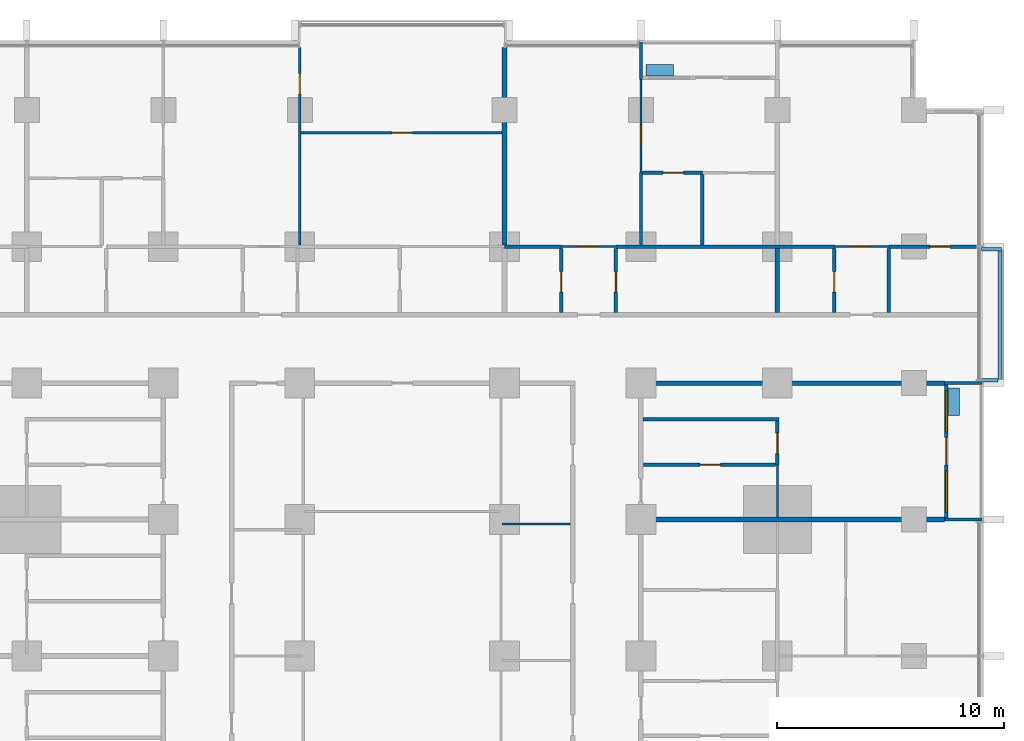
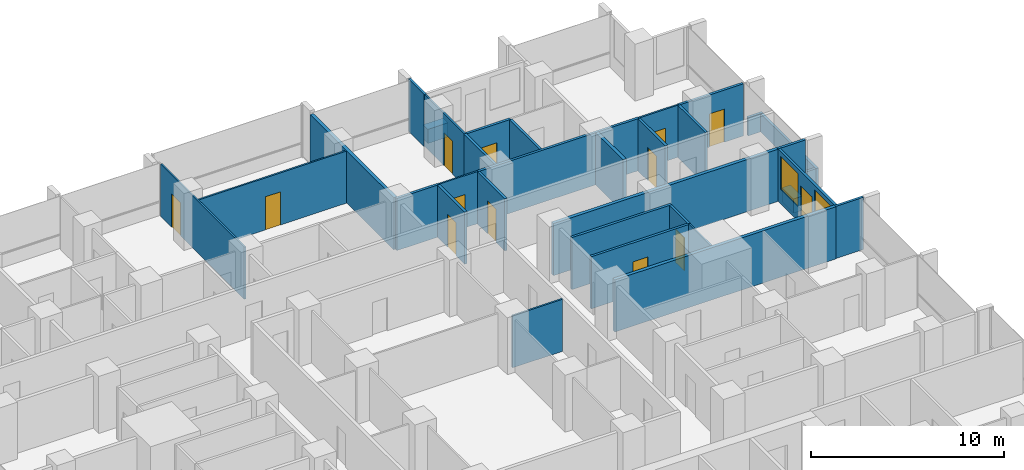
# One storey, part 12 of 18: 33 walls, 13 doors, 2 windows, 15 openings.
"""IFC4 building model written with IfcOpenShell, lengths in metres."""

from ifc_helpers import new_model, si_unit, direction, frame, frame_2d, origin, place, context, subcontext, project, spatial, rectangle, extrude, material, layer, layer_set, type_object, element, fill, save


model = new_model("IFC4")

# Units and contexts
model_context = context("Model", 3, precision=1e-05, world=origin(), true_north=direction((0.0, 1.0)))
body_context = subcontext(model_context, "Body", "Model", "MODEL_VIEW")
ifc_project = project(units=[si_unit("LENGTHUNIT", "METRE"), si_unit("AREAUNIT", "SQUARE_METRE"), si_unit("VOLUMEUNIT", "CUBIC_METRE"), si_unit("PLANEANGLEUNIT", "RADIAN"), si_unit("MASSUNIT", "GRAM", prefix="KILO")], contexts=[model_context])

# Site, building, storey
site_placement = place(None, origin())
site = spatial("IfcSite", under=ifc_project, at=site_placement, CompositionType="ELEMENT")
building_placement = place(site_placement, origin())
building = spatial("IfcBuilding", under=site, at=building_placement, Name="Finial Court Residences", CompositionType="ELEMENT")
storey_placement = place(building_placement, frame((0.0, 0.0, 68.5)))
storey = spatial("IfcBuildingStorey", under=building, at=storey_placement, Name="L16", CompositionType="ELEMENT", Elevation=68.5)

# Walls
ifc_material_1 = material(Name="Gypsum board")
ifc_layer_1 = layer(ifc_material_1, 0.02490234375)
ifc_material_2 = material(Name="Acoustic mineral wool in double frame")
ifc_layer_2 = layer(ifc_material_2, 0.14990234375)
ifc_layer_3 = layer(ifc_material_1, 0.02490234375)
ifc_layer_set_1 = layer_set([ifc_layer_1, ifc_layer_2, ifc_layer_3], Name="Acoustic party wall 200, 1 hour")
wall_type_1 = type_object("IfcWallType", Name="Acoustic party wall 200, 1 hour", PredefinedType="PARTITIONING", material=ifc_layer_set_1)
wall_1_placement = place(storey_placement, frame((10.60009765625, 7.5, 0.0), z_axis=(0.0, 0.0, 1.0), x_axis=(1.0, 0.0, 0.0)))
element("IfcWall", 1, at=wall_1_placement, inside=storey, type_object=wall_type_1, Name="Partition L16-026", PredefinedType="PARTITIONING", context=body_context, shape_type="SweptSolid", body=[
    extrude(rectangle(XDim=13.25, YDim=0.199951171875, at=frame_2d((6.625, 0.0))), origin(), (0.0, 0.0, 1.0), 3.300048828125),
])
wall_2_placement = place(storey_placement, frame((4.5, 19.574951171875, 0.0), z_axis=(0.0, 0.0, 1.0), x_axis=(0.0, 1.0, 0.0)))
element("IfcWall", 2, at=wall_2_placement, inside=storey, type_object=wall_type_1, Name="Partition L16-080", PredefinedType="PARTITIONING", context=body_context, shape_type="SweptSolid", body=[
    extrude(rectangle(XDim=8.675048828125, YDim=0.199951171875, at=frame_2d((4.33740234375, 0.0))), origin(), (0.0, 0.0, 1.0), 3.300048828125),
])
wall_3_placement = place(storey_placement, frame((16.5, 16.60009765625, 0.0), z_axis=(0.0, 0.0, 1.0), x_axis=(0.0, 1.0, 0.0)))
element("IfcWall", 3, at=wall_3_placement, inside=storey, type_object=wall_type_1, Name="Partition L16-092", PredefinedType="PARTITIONING", context=body_context, shape_type="SweptSolid", body=[
    extrude(rectangle(XDim=2.824951171875, YDim=0.199951171875, at=frame_2d((1.41259765625, 0.0))), origin(), (0.0, 0.0, 1.0), 3.300048828125),
])
ifc_layer_4 = layer(ifc_material_1, 0.02490234375)
ifc_layer_5 = layer(ifc_material_2, 0.14990234375)
ifc_layer_6 = layer(ifc_material_1, 0.02490234375)
ifc_layer_set_2 = layer_set([ifc_layer_4, ifc_layer_5, ifc_layer_6], Name="Corridor wall 200, 1 hour")
wall_type_2 = type_object("IfcWallType", Name="Corridor wall 200, 1 hour", PredefinedType="PARTITIONING", material=ifc_layer_set_2)
wall_4_placement = place(storey_placement, frame((10.39990234375, 13.5, 0.0), z_axis=(0.0, 0.0, 1.0), x_axis=(1.0, 0.0, 0.0)))
element("IfcWall", 4, at=wall_4_placement, inside=storey, type_object=wall_type_2, Name="Partition L16-034", PredefinedType="PARTITIONING", context=body_context, shape_type="SweptSolid", body=[
    extrude(rectangle(XDim=13.4501953125, YDim=0.199951171875, at=frame_2d((6.72509765625, 0.0))), origin(), (0.0, 0.0, 1.0), 3.300048828125),
])
ifc_layer_7 = layer(ifc_material_1, 0.012451171875)
ifc_material_3 = material(Name="Mineral wool in light-gauge frame")
ifc_layer_8 = layer(ifc_material_3, 0.074951171875)
ifc_layer_9 = layer(ifc_material_1, 0.012451171875)
ifc_layer_set_3 = layer_set([ifc_layer_7, ifc_layer_8, ifc_layer_9], Name="Gypsum board partition 100")
wall_type_3 = type_object("IfcWallType", Name="Gypsum board partition 100", PredefinedType="PARTITIONING", material=ifc_layer_set_3)
wall_5_placement = place(storey_placement, frame((4.39990234375, 7.300048828125, 0.0), z_axis=(0.0, 0.0, 1.0), x_axis=(1.0, 0.0, 0.0)))
element("IfcWall", 5, at=wall_5_placement, inside=storey, type_object=wall_type_3, Name="Partition L16-024", PredefinedType="PARTITIONING", context=body_context, shape_type="SweptSolid", body=[
    extrude(rectangle(XDim=3.0, YDim=0.10009765625, at=frame_2d((1.5, 0.0))), origin(), (0.0, 0.0, 1.0), 3.300048828125),
])

# Wall, opening, door
wall_6_placement = place(storey_placement, frame((7.0, 19.5, 0.0), z_axis=(0.0, 0.0, 1.0), x_axis=(1.0, 0.0, 0.0)))
wall_6 = element("IfcWall", 6, at=wall_6_placement, inside=storey, type_object=wall_type_3, Name="Partition L16-040", PredefinedType="PARTITIONING", context=body_context, shape_type="SweptSolid", body=[
    extrude(rectangle(XDim=2.39990234375, YDim=0.10009765625, at=frame_2d((1.199951171875, 0.0))), origin(), (0.0, 0.0, 1.0), 3.300048828125),
])
opening_1_placement = place(wall_6_placement, frame((0.699951171875, 0.0, 0.0)))
opening_1 = element("IfcOpeningElement", 7, at=opening_1_placement, cuts=wall_6, Name="Opening L16-D023", PredefinedType="OPENING", context=body_context, shape_type="SweptSolid", body=[
    extrude(rectangle(XDim=0.89990234375, YDim=2.10009765625, at=frame_2d((0.449951171875, 1.050048828125))), frame((0.0, 0.06005859375, 0.0), z_axis=(0.0, -1.0, 0.0), x_axis=(1.0, 0.0, 0.0)), (0.0, 0.0, 1.0), 0.1201171875),
])
ifc_material_4 = material(Name="Timber door leaf in timber frame", Category="wood")
door_type_1 = type_object("IfcDoorType", Name="Door set 900 x 2100", OperationType="SINGLE_SWING_LEFT", PredefinedType="DOOR", material=ifc_material_4)
door_1_placement = place(opening_1_placement, origin())
door_1 = element("IfcDoor", 8, at=door_1_placement, inside=storey, type_object=door_type_1, Name="Door L16-D023", OperationType="SINGLE_SWING_RIGHT", OverallHeight=2.10009765625, OverallWidth=0.89990234375, PredefinedType="DOOR", context=body_context, shape_type="SweptSolid", body=[
    extrude(rectangle(XDim=0.89990234375, YDim=2.10009765625, at=frame_2d((0.449951171875, 1.050048828125))), frame((0.0, 0.02490234375, 0.0), z_axis=(0.0, -1.0, 0.0), x_axis=(1.0, 0.0, 0.0)), (0.0, 0.0, 1.0), 0.050048828125),
])
fill(opening_1, door_1)

wall_7_placement = place(storey_placement, frame((19.0, 19.5, 0.0), z_axis=(0.0, 0.0, 1.0), x_axis=(1.0, 0.0, 0.0)))
wall_7 = element("IfcWall", 9, at=wall_7_placement, inside=storey, type_object=wall_type_3, Name="Partition L16-041", PredefinedType="PARTITIONING", context=body_context, shape_type="SweptSolid", body=[
    extrude(rectangle(XDim=2.39990234375, YDim=0.10009765625, at=frame_2d((1.199951171875, 0.0))), origin(), (0.0, 0.0, 1.0), 3.300048828125),
])
opening_2_placement = place(wall_7_placement, frame((0.699951171875, 0.0, 0.0)))
opening_2 = element("IfcOpeningElement", 10, at=opening_2_placement, cuts=wall_7, Name="Opening L16-D024", PredefinedType="OPENING", context=body_context, shape_type="SweptSolid", body=[
    extrude(rectangle(XDim=0.89990234375, YDim=2.10009765625, at=frame_2d((0.449951171875, 1.050048828125))), frame((0.0, 0.06005859375, 0.0), z_axis=(0.0, -1.0, 0.0), x_axis=(1.0, 0.0, 0.0)), (0.0, 0.0, 1.0), 0.1201171875),
])
door_2_placement = place(opening_2_placement, origin())
door_2 = element("IfcDoor", 11, at=door_2_placement, inside=storey, type_object=door_type_1, Name="Door L16-D024", OperationType="SINGLE_SWING_LEFT", OverallHeight=2.10009765625, OverallWidth=0.89990234375, PredefinedType="DOOR", context=body_context, shape_type="SweptSolid", body=[
    extrude(rectangle(XDim=0.89990234375, YDim=2.10009765625, at=frame_2d((0.449951171875, 1.050048828125))), frame((0.0, 0.02490234375, 0.0), z_axis=(0.0, -1.0, 0.0), x_axis=(1.0, 0.0, 0.0)), (0.0, 0.0, 1.0), 0.050048828125),
])
fill(opening_2, door_2)

wall_8_placement = place(storey_placement, frame((-4.449951171875, 24.5, 0.0), z_axis=(0.0, 0.0, 1.0), x_axis=(1.0, 0.0, 0.0)))
wall_8 = element("IfcWall", 12, at=wall_8_placement, inside=storey, type_object=wall_type_3, Name="Partition L16-053", PredefinedType="PARTITIONING", context=body_context, shape_type="SweptSolid", body=[
    extrude(rectangle(XDim=8.849853515625, YDim=0.10009765625, at=frame_2d((4.4248046875, 0.0))), origin(), (0.0, 0.0, 1.0), 3.300048828125),
])
opening_3_placement = place(wall_8_placement, frame((4.0, 0.0, 0.0)))
opening_3 = element("IfcOpeningElement", 13, at=opening_3_placement, cuts=wall_8, Name="Opening L16-D031", PredefinedType="OPENING", context=body_context, shape_type="SweptSolid", body=[
    extrude(rectangle(XDim=0.89990234375, YDim=2.10009765625, at=frame_2d((0.449951171875, 1.050048828125))), frame((0.0, 0.06005859375, 0.0), z_axis=(0.0, -1.0, 0.0), x_axis=(1.0, 0.0, 0.0)), (0.0, 0.0, 1.0), 0.1201171875),
])
door_3_placement = place(opening_3_placement, origin())
door_3 = element("IfcDoor", 14, at=door_3_placement, inside=storey, type_object=door_type_1, Name="Door L16-D031", OperationType="SINGLE_SWING_RIGHT", OverallHeight=2.10009765625, OverallWidth=0.89990234375, PredefinedType="DOOR", context=body_context, shape_type="SweptSolid", body=[
    extrude(rectangle(XDim=0.89990234375, YDim=2.10009765625, at=frame_2d((0.449951171875, 1.050048828125))), frame((0.0, 0.02490234375, 0.0), z_axis=(0.0, -1.0, 0.0), x_axis=(1.0, 0.0, 0.0)), (0.0, 0.0, 1.0), 0.050048828125),
])
fill(opening_3, door_3)

wall_9_placement = place(storey_placement, frame((-4.5, 19.574951171875, 0.0), z_axis=(0.0, 0.0, 1.0), x_axis=(0.0, 1.0, 0.0)))
wall_9 = element("IfcWall", 15, at=wall_9_placement, inside=storey, type_object=wall_type_3, Name="Partition L16-075", PredefinedType="PARTITIONING", context=body_context, shape_type="SweptSolid", body=[
    extrude(rectangle(XDim=8.675048828125, YDim=0.10009765625, at=frame_2d((4.33740234375, 0.0))), origin(), (0.0, 0.0, 1.0), 3.300048828125),
])
opening_4_placement = place(wall_9_placement, frame((6.625, 0.0, 0.0)))
opening_4 = element("IfcOpeningElement", 16, at=opening_4_placement, cuts=wall_9, Name="Opening L16-D048", PredefinedType="OPENING", context=body_context, shape_type="SweptSolid", body=[
    extrude(rectangle(XDim=0.89990234375, YDim=2.10009765625, at=frame_2d((0.449951171875, 1.050048828125))), frame((0.0, 0.06005859375, 0.0), z_axis=(0.0, -1.0, 0.0), x_axis=(1.0, 0.0, 0.0)), (0.0, 0.0, 1.0), 0.1201171875),
])
door_4_placement = place(opening_4_placement, origin())
door_4 = element("IfcDoor", 17, at=door_4_placement, inside=storey, type_object=door_type_1, Name="Door L16-D048", OperationType="SINGLE_SWING_RIGHT", OverallHeight=2.10009765625, OverallWidth=0.89990234375, PredefinedType="DOOR", context=body_context, shape_type="SweptSolid", body=[
    extrude(rectangle(XDim=0.89990234375, YDim=2.10009765625, at=frame_2d((0.449951171875, 1.050048828125))), frame((0.0, 0.02490234375, 0.0), z_axis=(0.0, -1.0, 0.0), x_axis=(1.0, 0.0, 0.0)), (0.0, 0.0, 1.0), 0.050048828125),
])
fill(opening_4, door_4)

wall_10_placement = place(storey_placement, frame((10.5, 22.75, 0.0), z_axis=(0.0, 0.0, 1.0), x_axis=(0.0, 1.0, 0.0)))
wall_10 = element("IfcWall", 18, at=wall_10_placement, inside=storey, type_object=wall_type_3, Name="Partition L16-085", PredefinedType="PARTITIONING", context=body_context, shape_type="SweptSolid", body=[
    extrude(rectangle(XDim=4.10009765625, YDim=0.10009765625, at=frame_2d((2.050048828125, 0.0))), origin(), (0.0, 0.0, 1.0), 3.300048828125),
])
opening_5_placement = place(wall_10_placement, frame((1.199951171875, 0.0, 0.0)))
opening_5 = element("IfcOpeningElement", 19, at=opening_5_placement, cuts=wall_10, Name="Opening L16-D057", PredefinedType="OPENING", context=body_context, shape_type="SweptSolid", body=[
    extrude(rectangle(XDim=0.89990234375, YDim=2.10009765625, at=frame_2d((0.449951171875, 1.050048828125))), frame((0.0, 0.06005859375, 0.0), z_axis=(0.0, -1.0, 0.0), x_axis=(1.0, 0.0, 0.0)), (0.0, 0.0, 1.0), 0.1201171875),
])
door_5_placement = place(opening_5_placement, origin())
door_5 = element("IfcDoor", 20, at=door_5_placement, inside=storey, type_object=door_type_1, Name="Door L16-D057", OperationType="SINGLE_SWING_LEFT", OverallHeight=2.10009765625, OverallWidth=0.89990234375, PredefinedType="DOOR", context=body_context, shape_type="SweptSolid", body=[
    extrude(rectangle(XDim=0.89990234375, YDim=2.10009765625, at=frame_2d((0.449951171875, 1.050048828125))), frame((0.0, 0.02490234375, 0.0), z_axis=(0.0, -1.0, 0.0), x_axis=(1.0, 0.0, 0.0)), (0.0, 0.0, 1.0), 0.050048828125),
])
fill(opening_5, door_5)

# Wall
wall_11_placement = place(storey_placement, frame((16.5, 7.60009765625, 0.0), z_axis=(0.0, 0.0, 1.0), x_axis=(0.0, 1.0, 0.0)))
element("IfcWall", 21, at=wall_11_placement, inside=storey, type_object=wall_type_3, Name="Partition L16-091", PredefinedType="PARTITIONING", context=body_context, shape_type="SweptSolid", body=[
    extrude(rectangle(XDim=2.2998046875, YDim=0.10009765625, at=frame_2d((1.14990234375, 0.0))), origin(), (0.0, 0.0, 1.0), 3.300048828125),
])

# Wall, opening, door
ifc_material_5 = material(Name="Moisture-resistant gypsum board")
ifc_layer_10 = layer(ifc_material_5, 0.012451171875)
ifc_layer_11 = layer(ifc_material_3, 0.125)
ifc_layer_12 = layer(ifc_material_5, 0.012451171875)
ifc_layer_set_4 = layer_set([ifc_layer_10, ifc_layer_11, ifc_layer_12], Name="Gypsum board wet-area partition 150")
wall_type_4 = type_object("IfcWallType", Name="Gypsum board wet-area partition 150", PredefinedType="PARTITIONING", material=ifc_layer_set_4)
wall_12_placement = place(storey_placement, frame((10.60009765625, 9.89990234375, 0.0), z_axis=(0.0, 0.0, 1.0), x_axis=(1.0, 0.0, 0.0)))
wall_12 = element("IfcWall", 22, at=wall_12_placement, inside=storey, type_object=wall_type_4, Name="Partition L16-029", PredefinedType="PARTITIONING", context=body_context, shape_type="SweptSolid", body=[
    extrude(rectangle(XDim=5.824951171875, YDim=0.14990234375, at=frame_2d((2.91259765625, 0.0))), origin(), (0.0, 0.0, 1.0), 3.300048828125),
])
opening_6_placement = place(wall_12_placement, frame((2.5, 0.0, 0.0)))
opening_6 = element("IfcOpeningElement", 23, at=opening_6_placement, cuts=wall_12, Name="Opening L16-D014", PredefinedType="OPENING", context=body_context, shape_type="SweptSolid", body=[
    extrude(rectangle(XDim=0.89990234375, YDim=2.10009765625, at=frame_2d((0.449951171875, 1.050048828125))), frame((0.0, 0.0849609375, 0.0), z_axis=(0.0, -1.0, 0.0), x_axis=(1.0, 0.0, 0.0)), (0.0, 0.0, 1.0), 0.169921875),
])
door_6_placement = place(opening_6_placement, origin())
door_6 = element("IfcDoor", 24, at=door_6_placement, inside=storey, type_object=door_type_1, Name="Door L16-D014", OperationType="SINGLE_SWING_RIGHT", OverallHeight=2.10009765625, OverallWidth=0.89990234375, PredefinedType="DOOR", context=body_context, shape_type="SweptSolid", body=[
    extrude(rectangle(XDim=0.89990234375, YDim=2.10009765625, at=frame_2d((0.449951171875, 1.050048828125))), frame((0.0, 0.02490234375, 0.0), z_axis=(0.0, -1.0, 0.0), x_axis=(1.0, 0.0, 0.0)), (0.0, 0.0, 1.0), 0.050048828125),
])
fill(opening_6, door_6)

# Walls
wall_13_placement = place(storey_placement, frame((10.60009765625, 11.89990234375, 0.0), z_axis=(0.0, 0.0, 1.0), x_axis=(1.0, 0.0, 0.0)))
element("IfcWall", 25, at=wall_13_placement, inside=storey, type_object=wall_type_4, Name="Partition L16-031", PredefinedType="PARTITIONING", context=body_context, shape_type="SweptSolid", body=[
    extrude(rectangle(XDim=5.974853515625, YDim=0.14990234375, at=frame_2d((2.9873046875, 0.0))), origin(), (0.0, 0.0, 1.0), 3.300048828125),
])
wall_14_placement = place(storey_placement, frame((4.5, 19.5, 0.0), z_axis=(0.0, 0.0, 1.0), x_axis=(1.0, 0.0, 0.0)))
element("IfcWall", 26, at=wall_14_placement, inside=storey, type_object=wall_type_4, Name="Partition L16-046", PredefinedType="PARTITIONING", context=body_context, shape_type="SweptSolid", body=[
    extrude(rectangle(XDim=2.5, YDim=0.14990234375, at=frame_2d((1.25, 0.0))), origin(), (0.0, 0.0, 1.0), 3.300048828125),
])
wall_15_placement = place(storey_placement, frame((9.39990234375, 19.5, 0.0), z_axis=(0.0, 0.0, 1.0), x_axis=(1.0, 0.0, 0.0)))
element("IfcWall", 27, at=wall_15_placement, inside=storey, type_object=wall_type_4, Name="Partition L16-047", PredefinedType="PARTITIONING", context=body_context, shape_type="SweptSolid", body=[
    extrude(rectangle(XDim=9.60009765625, YDim=0.14990234375, at=frame_2d((4.800048828125, 0.0))), origin(), (0.0, 0.0, 1.0), 3.300048828125),
])

# Wall, opening, door
wall_16_placement = place(storey_placement, frame((21.39990234375, 19.5, 0.0), z_axis=(0.0, 0.0, 1.0), x_axis=(1.0, 0.0, 0.0)))
wall_16 = element("IfcWall", 28, at=wall_16_placement, inside=storey, type_object=wall_type_4, Name="Partition L16-048", PredefinedType="PARTITIONING", context=body_context, shape_type="SweptSolid", body=[
    extrude(rectangle(XDim=3.85009765625, YDim=0.14990234375, at=frame_2d((1.925048828125, 0.0))), origin(), (0.0, 0.0, 1.0), 3.300048828125),
])
opening_7_placement = place(wall_16_placement, frame((1.800048828125, 0.0, 0.0)))
opening_7 = element("IfcOpeningElement", 29, at=opening_7_placement, cuts=wall_16, Name="Opening L16-D026", PredefinedType="OPENING", context=body_context, shape_type="SweptSolid", body=[
    extrude(rectangle(XDim=0.89990234375, YDim=2.10009765625, at=frame_2d((0.449951171875, 1.050048828125))), frame((0.0, 0.0849609375, 0.0), z_axis=(0.0, -1.0, 0.0), x_axis=(1.0, 0.0, 0.0)), (0.0, 0.0, 1.0), 0.169921875),
])
door_7_placement = place(opening_7_placement, origin())
door_7 = element("IfcDoor", 30, at=door_7_placement, inside=storey, type_object=door_type_1, Name="Door L16-D026", OperationType="SINGLE_SWING_RIGHT", OverallHeight=2.10009765625, OverallWidth=0.89990234375, PredefinedType="DOOR", context=body_context, shape_type="SweptSolid", body=[
    extrude(rectangle(XDim=0.89990234375, YDim=2.10009765625, at=frame_2d((0.449951171875, 1.050048828125))), frame((0.0, 0.02490234375, 0.0), z_axis=(0.0, -1.0, 0.0), x_axis=(1.0, 0.0, 0.0)), (0.0, 0.0, 1.0), 0.050048828125),
])
fill(opening_7, door_7)

wall_17_placement = place(storey_placement, frame((10.574951171875, 22.75, 0.0), z_axis=(0.0, 0.0, 1.0), x_axis=(1.0, 0.0, 0.0)))
wall_17 = element("IfcWall", 31, at=wall_17_placement, inside=storey, type_object=wall_type_4, Name="Partition L16-052", PredefinedType="PARTITIONING", context=body_context, shape_type="SweptSolid", body=[
    extrude(rectangle(XDim=2.625, YDim=0.14990234375, at=frame_2d((1.3125, 0.0))), origin(), (0.0, 0.0, 1.0), 3.300048828125),
])
opening_8_placement = place(wall_17_placement, frame((0.89990234375, 0.0, 0.0)))
opening_8 = element("IfcOpeningElement", 32, at=opening_8_placement, cuts=wall_17, Name="Opening L16-D030", PredefinedType="OPENING", context=body_context, shape_type="SweptSolid", body=[
    extrude(rectangle(XDim=0.89990234375, YDim=2.10009765625, at=frame_2d((0.449951171875, 1.050048828125))), frame((0.0, 0.0849609375, 0.0), z_axis=(0.0, -1.0, 0.0), x_axis=(1.0, 0.0, 0.0)), (0.0, 0.0, 1.0), 0.169921875),
])
door_8_placement = place(opening_8_placement, origin())
door_8 = element("IfcDoor", 33, at=door_8_placement, inside=storey, type_object=door_type_1, Name="Door L16-D030", OperationType="SINGLE_SWING_RIGHT", OverallHeight=2.10009765625, OverallWidth=0.89990234375, PredefinedType="DOOR", context=body_context, shape_type="SweptSolid", body=[
    extrude(rectangle(XDim=0.89990234375, YDim=2.10009765625, at=frame_2d((0.449951171875, 1.050048828125))), frame((0.0, 0.02490234375, 0.0), z_axis=(0.0, -1.0, 0.0), x_axis=(1.0, 0.0, 0.0)), (0.0, 0.0, 1.0), 0.050048828125),
])
fill(opening_8, door_8)

wall_18_placement = place(storey_placement, frame((7.0, 16.60009765625, 0.0), z_axis=(0.0, 0.0, 1.0), x_axis=(0.0, 1.0, 0.0)))
wall_18 = element("IfcWall", 34, at=wall_18_placement, inside=storey, type_object=wall_type_4, Name="Partition L16-081", PredefinedType="PARTITIONING", context=body_context, shape_type="SweptSolid", body=[
    extrude(rectangle(XDim=2.824951171875, YDim=0.14990234375, at=frame_2d((1.41259765625, 0.0))), origin(), (0.0, 0.0, 1.0), 3.300048828125),
])
opening_9_placement = place(wall_18_placement, frame((0.89990234375, 0.0, 0.0)))
opening_9 = element("IfcOpeningElement", 35, at=opening_9_placement, cuts=wall_18, Name="Opening L16-D050", PredefinedType="OPENING", context=body_context, shape_type="SweptSolid", body=[
    extrude(rectangle(XDim=0.89990234375, YDim=2.10009765625, at=frame_2d((0.449951171875, 1.050048828125))), frame((0.0, 0.0849609375, 0.0), z_axis=(0.0, -1.0, 0.0), x_axis=(1.0, 0.0, 0.0)), (0.0, 0.0, 1.0), 0.169921875),
])
door_9_placement = place(opening_9_placement, origin())
door_9 = element("IfcDoor", 36, at=door_9_placement, inside=storey, type_object=door_type_1, Name="Door L16-D050", OperationType="SINGLE_SWING_LEFT", OverallHeight=2.10009765625, OverallWidth=0.89990234375, PredefinedType="DOOR", context=body_context, shape_type="SweptSolid", body=[
    extrude(rectangle(XDim=0.89990234375, YDim=2.10009765625, at=frame_2d((0.449951171875, 1.050048828125))), frame((0.0, 0.02490234375, 0.0), z_axis=(0.0, -1.0, 0.0), x_axis=(1.0, 0.0, 0.0)), (0.0, 0.0, 1.0), 0.050048828125),
])
fill(opening_9, door_9)

wall_19_placement = place(storey_placement, frame((9.39990234375, 16.60009765625, 0.0), z_axis=(0.0, 0.0, 1.0), x_axis=(0.0, 1.0, 0.0)))
wall_19 = element("IfcWall", 37, at=wall_19_placement, inside=storey, type_object=wall_type_4, Name="Partition L16-083", PredefinedType="PARTITIONING", context=body_context, shape_type="SweptSolid", body=[
    extrude(rectangle(XDim=2.824951171875, YDim=0.14990234375, at=frame_2d((1.41259765625, 0.0))), origin(), (0.0, 0.0, 1.0), 3.300048828125),
])
opening_10_placement = place(wall_19_placement, frame((0.89990234375, 0.0, 0.0)))
opening_10 = element("IfcOpeningElement", 38, at=opening_10_placement, cuts=wall_19, Name="Opening L16-D054", PredefinedType="OPENING", context=body_context, shape_type="SweptSolid", body=[
    extrude(rectangle(XDim=0.89990234375, YDim=2.10009765625, at=frame_2d((0.449951171875, 1.050048828125))), frame((0.0, 0.0849609375, 0.0), z_axis=(0.0, -1.0, 0.0), x_axis=(1.0, 0.0, 0.0)), (0.0, 0.0, 1.0), 0.169921875),
])
door_10_placement = place(opening_10_placement, origin())
door_10 = element("IfcDoor", 39, at=door_10_placement, inside=storey, type_object=door_type_1, Name="Door L16-D054", OperationType="SINGLE_SWING_RIGHT", OverallHeight=2.10009765625, OverallWidth=0.89990234375, PredefinedType="DOOR", context=body_context, shape_type="SweptSolid", body=[
    extrude(rectangle(XDim=0.89990234375, YDim=2.10009765625, at=frame_2d((0.449951171875, 1.050048828125))), frame((0.0, 0.02490234375, 0.0), z_axis=(0.0, -1.0, 0.0), x_axis=(1.0, 0.0, 0.0)), (0.0, 0.0, 1.0), 0.050048828125),
])
fill(opening_10, door_10)

# Walls
wall_20_placement = place(storey_placement, frame((10.5, 19.574951171875, 0.0), z_axis=(0.0, 0.0, 1.0), x_axis=(0.0, 1.0, 0.0)))
element("IfcWall", 40, at=wall_20_placement, inside=storey, type_object=wall_type_4, Name="Partition L16-086", PredefinedType="PARTITIONING", context=body_context, shape_type="SweptSolid", body=[
    extrude(rectangle(XDim=3.175048828125, YDim=0.14990234375, at=frame_2d((1.58740234375, 0.0))), origin(), (0.0, 0.0, 1.0), 3.300048828125),
])
wall_21_placement = place(storey_placement, frame((13.199951171875, 19.574951171875, 0.0), z_axis=(0.0, 0.0, 1.0), x_axis=(0.0, 1.0, 0.0)))
element("IfcWall", 41, at=wall_21_placement, inside=storey, type_object=wall_type_4, Name="Partition L16-087", PredefinedType="PARTITIONING", context=body_context, shape_type="SweptSolid", body=[
    extrude(rectangle(XDim=3.10009765625, YDim=0.14990234375, at=frame_2d((1.550048828125, 0.0))), origin(), (0.0, 0.0, 1.0), 3.300048828125),
])

# Wall, opening, door
wall_22_placement = place(storey_placement, frame((16.5, 9.89990234375, 0.0), z_axis=(0.0, 0.0, 1.0), x_axis=(0.0, 1.0, 0.0)))
wall_22 = element("IfcWall", 42, at=wall_22_placement, inside=storey, type_object=wall_type_4, Name="Partition L16-098", PredefinedType="PARTITIONING", context=body_context, shape_type="SweptSolid", body=[
    extrude(rectangle(XDim=1.925048828125, YDim=0.14990234375, at=frame_2d((0.96240234375, 0.0))), origin(), (0.0, 0.0, 1.0), 3.300048828125),
])
opening_11_placement = place(wall_22_placement, frame((0.5, 0.0, 0.0)))
opening_11 = element("IfcOpeningElement", 43, at=opening_11_placement, cuts=wall_22, Name="Opening L16-D060", PredefinedType="OPENING", context=body_context, shape_type="SweptSolid", body=[
    extrude(rectangle(XDim=0.89990234375, YDim=2.10009765625, at=frame_2d((0.449951171875, 1.050048828125))), frame((0.0, 0.0849609375, 0.0), z_axis=(0.0, -1.0, 0.0), x_axis=(1.0, 0.0, 0.0)), (0.0, 0.0, 1.0), 0.169921875),
])
door_11_placement = place(opening_11_placement, origin())
door_11 = element("IfcDoor", 44, at=door_11_placement, inside=storey, type_object=door_type_1, Name="Door L16-D060", OperationType="SINGLE_SWING_LEFT", OverallHeight=2.10009765625, OverallWidth=0.89990234375, PredefinedType="DOOR", context=body_context, shape_type="SweptSolid", body=[
    extrude(rectangle(XDim=0.89990234375, YDim=2.10009765625, at=frame_2d((0.449951171875, 1.050048828125))), frame((0.0, 0.02490234375, 0.0), z_axis=(0.0, -1.0, 0.0), x_axis=(1.0, 0.0, 0.0)), (0.0, 0.0, 1.0), 0.050048828125),
])
fill(opening_11, door_11)

wall_23_placement = place(storey_placement, frame((19.0, 16.60009765625, 0.0), z_axis=(0.0, 0.0, 1.0), x_axis=(0.0, 1.0, 0.0)))
wall_23 = element("IfcWall", 45, at=wall_23_placement, inside=storey, type_object=wall_type_4, Name="Partition L16-099", PredefinedType="PARTITIONING", context=body_context, shape_type="SweptSolid", body=[
    extrude(rectangle(XDim=2.824951171875, YDim=0.14990234375, at=frame_2d((1.41259765625, 0.0))), origin(), (0.0, 0.0, 1.0), 3.300048828125),
])
opening_12_placement = place(wall_23_placement, frame((0.89990234375, 0.0, 0.0)))
opening_12 = element("IfcOpeningElement", 46, at=opening_12_placement, cuts=wall_23, Name="Opening L16-D061", PredefinedType="OPENING", context=body_context, shape_type="SweptSolid", body=[
    extrude(rectangle(XDim=0.89990234375, YDim=2.10009765625, at=frame_2d((0.449951171875, 1.050048828125))), frame((0.0, 0.0849609375, 0.0), z_axis=(0.0, -1.0, 0.0), x_axis=(1.0, 0.0, 0.0)), (0.0, 0.0, 1.0), 0.169921875),
])
door_12_placement = place(opening_12_placement, origin())
door_12 = element("IfcDoor", 47, at=door_12_placement, inside=storey, type_object=door_type_1, Name="Door L16-D061", OperationType="SINGLE_SWING_LEFT", OverallHeight=2.10009765625, OverallWidth=0.89990234375, PredefinedType="DOOR", context=body_context, shape_type="SweptSolid", body=[
    extrude(rectangle(XDim=0.89990234375, YDim=2.10009765625, at=frame_2d((0.449951171875, 1.050048828125))), frame((0.0, 0.02490234375, 0.0), z_axis=(0.0, -1.0, 0.0), x_axis=(1.0, 0.0, 0.0)), (0.0, 0.0, 1.0), 0.050048828125),
])
fill(opening_12, door_12)

# Walls
wall_24_placement = place(storey_placement, frame((21.39990234375, 16.60009765625, 0.0), z_axis=(0.0, 0.0, 1.0), x_axis=(0.0, 1.0, 0.0)))
element("IfcWall", 48, at=wall_24_placement, inside=storey, type_object=wall_type_4, Name="Partition L16-104", PredefinedType="PARTITIONING", context=body_context, shape_type="SweptSolid", body=[
    extrude(rectangle(XDim=2.824951171875, YDim=0.14990234375, at=frame_2d((1.41259765625, 0.0))), origin(), (0.0, 0.0, 1.0), 3.300048828125),
])
ifc_material_6 = material(Name="Concrete C35/45", Category="concrete")
ifc_layer_13 = layer(ifc_material_6, 0.14990234375)
ifc_layer_set_5 = layer_set([ifc_layer_13], Name="Ledge parapet, Concrete C35/45 150")
wall_type_5 = type_object("IfcWallType", Name="Ledge parapet, Concrete C35/45 150", PredefinedType="PARAPET", material=ifc_layer_set_5)
wall_25_placement = place(storey_placement, frame((25.4599609375, 19.375, 0.0), z_axis=(0.0, 0.0, 1.0), x_axis=(1.0, 0.0, 0.0)))
element("IfcWall", 49, at=wall_25_placement, inside=storey, type_object=wall_type_5, Name="E-L16-LED1-P1", PredefinedType="PARAPET", context=body_context, shape_type="SweptSolid", body=[
    extrude(rectangle(XDim=0.89013671875, YDim=0.14990234375, at=frame_2d((0.445068359375, 0.0))), origin(), (0.0, 0.0, 1.0), 1.14990234375),
])
wall_26_placement = place(storey_placement, frame((26.27490234375, 19.300048828125, 0.0), z_axis=(0.0, 0.0, 1.0), x_axis=(0.0, -1.0, 0.0)))
element("IfcWall", 50, at=wall_26_placement, inside=storey, type_object=wall_type_5, Name="E-L16-LED1-P2", PredefinedType="PARAPET", context=body_context, shape_type="SweptSolid", body=[
    extrude(rectangle(XDim=5.75, YDim=0.14990234375, at=frame_2d((2.875, 0.0))), origin(), (0.0, 0.0, 1.0), 1.14990234375),
])
wall_27_placement = place(storey_placement, frame((26.199951171875, 13.625, 0.0), z_axis=(0.0, 0.0, 1.0), x_axis=(-1.0, 0.0, 0.0)))
element("IfcWall", 51, at=wall_27_placement, inside=storey, type_object=wall_type_5, Name="E-L16-LED1-P3", PredefinedType="PARAPET", context=body_context, shape_type="SweptSolid", body=[
    extrude(rectangle(XDim=0.739990234375, YDim=0.14990234375, at=frame_2d((0.3701171875, 0.0))), origin(), (0.0, 0.0, 1.0), 1.14990234375),
])
ifc_material_7 = material(Name="Natural limestone", Category="masonry")
ifc_layer_14 = layer(ifc_material_7, 0.14990234375)
ifc_layer_set_6 = layer_set([ifc_layer_14], Name="Limestone clad wall 150")
wall_type_6 = type_object("IfcWallType", Name="Limestone clad wall 150", PredefinedType="SOLIDWALL", material=ifc_layer_set_6)
for number, where, z_axis, x_axis, name in (
    (52, (10.5, 26.85009765625, 0.0), (0.0, 0.0, 1.0), (0.0, 1.0, 0.0), "E-L16-BALN6-P1"),
    (53, (23.85009765625, 7.5, 0.0), (0.0, 0.0, 1.0), (1.0, 0.0, 0.0), "E-L16-BALE5-P1"),
    (54, (23.85009765625, 13.5, 0.0), (0.0, 0.0, 1.0), (1.0, 0.0, 0.0), "E-L16-BALE5-P2"),
):
    element("IfcWall", number, at=place(storey_placement, frame(where, z_axis=z_axis, x_axis=x_axis)), inside=storey, type_object=wall_type_6, Name=name, PredefinedType="SOLIDWALL", context=body_context, shape_type="SweptSolid", body=[
        extrude(rectangle(XDim=1.64990234375, YDim=0.14990234375, at=frame_2d((0.824951171875, 0.0))), origin(), (0.0, 0.0, 1.0), 3.300048828125),
    ])

# Wall, openings, door, windows
wall_28_placement = place(storey_placement, frame((23.925048828125, 13.425048828125, 0.0), z_axis=(0.0, 0.0, 1.0), x_axis=(0.0, -1.0, 0.0)))
wall_28 = element("IfcWall", 55, at=wall_28_placement, inside=storey, type_object=wall_type_6, Name="E-L16-L16-BALE5-W", PredefinedType="SOLIDWALL", context=body_context, shape_type="SweptSolid", body=[
    extrude(rectangle(XDim=5.85009765625, YDim=0.14990234375, at=frame_2d((2.925048828125, 0.0))), origin(), (0.0, 0.0, 1.0), 3.300048828125),
])
opening_13_placement = place(wall_28_placement, frame((2.324951171875, 0.0, 0.0)))
opening_13 = element("IfcOpeningElement", 56, at=opening_13_placement, cuts=wall_28, Name="Opening DE16-02", PredefinedType="OPENING", context=body_context, shape_type="SweptSolid", body=[
    extrude(rectangle(XDim=1.199951171875, YDim=2.39990234375, at=frame_2d((0.60009765625, 1.199951171875))), frame((0.0, 0.0849609375, 0.0), z_axis=(0.0, -1.0, 0.0), x_axis=(1.0, 0.0, 0.0)), (0.0, 0.0, 1.0), 0.169921875),
])
opening_14_placement = place(wall_28_placement, frame((3.78759765625, 0.0, 0.89990234375)))
opening_14 = element("IfcOpeningElement", 57, at=opening_14_placement, cuts=wall_28, Name="Opening WE16-11", PredefinedType="OPENING", context=body_context, shape_type="SweptSolid", body=[
    extrude(rectangle(XDim=1.800048828125, YDim=2.10009765625, at=frame_2d((0.89990234375, 1.050048828125))), frame((0.0, 0.0849609375, 0.0), z_axis=(0.0, -1.0, 0.0), x_axis=(1.0, 0.0, 0.0)), (0.0, 0.0, 1.0), 0.169921875),
])
opening_15_placement = place(wall_28_placement, frame((0.262451171875, 0.0, 0.89990234375)))
opening_15 = element("IfcOpeningElement", 58, at=opening_15_placement, cuts=wall_28, Name="Opening WE16-12", PredefinedType="OPENING", context=body_context, shape_type="SweptSolid", body=[
    extrude(rectangle(XDim=1.800048828125, YDim=2.10009765625, at=frame_2d((0.89990234375, 1.050048828125))), frame((0.0, 0.0849609375, 0.0), z_axis=(0.0, -1.0, 0.0), x_axis=(1.0, 0.0, 0.0)), (0.0, 0.0, 1.0), 0.169921875),
])
ifc_material_8 = material(Name="Bronze anodised aluminium", Category="aluminium")
door_type_2 = type_object("IfcDoorType", Name="Balcony door 1200 x 2400", OperationType="SINGLE_SWING_LEFT", PredefinedType="DOOR", material=ifc_material_8)
door_13_placement = place(opening_13_placement, origin())
door_13 = element("IfcDoor", 59, at=door_13_placement, inside=storey, type_object=door_type_2, Name="E-L16-L16-BALE5-W-D", OperationType="SINGLE_SWING_LEFT", OverallHeight=2.39990234375, OverallWidth=1.199951171875, PredefinedType="DOOR", context=body_context, shape_type="SweptSolid", body=[
    extrude(rectangle(XDim=1.199951171875, YDim=2.39990234375, at=frame_2d((0.60009765625, 1.199951171875))), frame((0.0, 0.02490234375, 0.0), z_axis=(0.0, -1.0, 0.0), x_axis=(1.0, 0.0, 0.0)), (0.0, 0.0, 1.0), 0.050048828125),
])
fill(opening_13, door_13)
ifc_material_9 = material(Name="Clear low-e glass", Category="glass")
window_type = type_object("IfcWindowType", Name="Balcony window 1800 x 2100", PartitioningType="SINGLE_PANEL", PredefinedType="WINDOW", material=ifc_material_9)
window_1_placement = place(opening_14_placement, origin())
window_1 = element("IfcWindow", 60, at=window_1_placement, inside=storey, type_object=window_type, Name="E-L16-L16-BALE5-W-W1", OverallHeight=2.10009765625, OverallWidth=1.800048828125, PartitioningType="SINGLE_PANEL", PredefinedType="WINDOW", context=body_context, shape_type="SweptSolid", body=[
    extrude(rectangle(XDim=1.800048828125, YDim=2.10009765625, at=frame_2d((0.89990234375, 1.050048828125))), frame((0.0, 0.030029296875, 0.0), z_axis=(0.0, -1.0, 0.0), x_axis=(1.0, 0.0, 0.0)), (0.0, 0.0, 1.0), 0.06005859375),
])
fill(opening_14, window_1)
window_2_placement = place(opening_15_placement, origin())
window_2 = element("IfcWindow", 61, at=window_2_placement, inside=storey, type_object=window_type, Name="E-L16-L16-BALE5-W-W2", OverallHeight=2.10009765625, OverallWidth=1.800048828125, PartitioningType="SINGLE_PANEL", PredefinedType="WINDOW", context=body_context, shape_type="SweptSolid", body=[
    extrude(rectangle(XDim=1.800048828125, YDim=2.10009765625, at=frame_2d((0.89990234375, 1.050048828125))), frame((0.0, 0.030029296875, 0.0), z_axis=(0.0, -1.0, 0.0), x_axis=(1.0, 0.0, 0.0)), (0.0, 0.0, 1.0), 0.06005859375),
])
fill(opening_15, window_2)

# Walls
ifc_material_10 = material(Name="Concrete C40/50", Category="concrete")
ifc_layer_15 = layer(ifc_material_10, 0.10009765625)
ifc_material_11 = material(Name="Planting soil", Category="soil")
ifc_layer_16 = layer(ifc_material_11, 0.300048828125)
ifc_layer_17 = layer(ifc_material_10, 0.10009765625)
ifc_layer_set_7 = layer_set([ifc_layer_15, ifc_layer_16, ifc_layer_17], Name="Planter wall, balcony")
wall_type_7 = type_object("IfcWallType", Name="Planter wall, balcony", PredefinedType="USERDEFINED", material=ifc_layer_set_7)
for number, where, z_axis, x_axis, name in (
    (62, (10.72509765625, 27.25, 0.0), (0.0, 0.0, 1.0), (1.0, 0.0, 0.0), "E-L16-BALN6-PL"),
    (63, (24.25, 12.074951171875, 0.0), (0.0, 0.0, 1.0), (0.0, 1.0, 0.0), "E-L16-BALE5-PL"),
):
    element("IfcWall", number, at=place(storey_placement, frame(where, z_axis=z_axis, x_axis=x_axis)), inside=storey, type_object=wall_type_7, Name=name, ObjectType="PLANTER", PredefinedType="USERDEFINED", context=body_context, shape_type="SweptSolid", body=[
        extrude(rectangle(XDim=1.199951171875, YDim=0.5, at=frame_2d((0.60009765625, 0.0))), origin(), (0.0, 0.0, 1.0), 0.89990234375),
    ])

save(model, "model.ifc")
